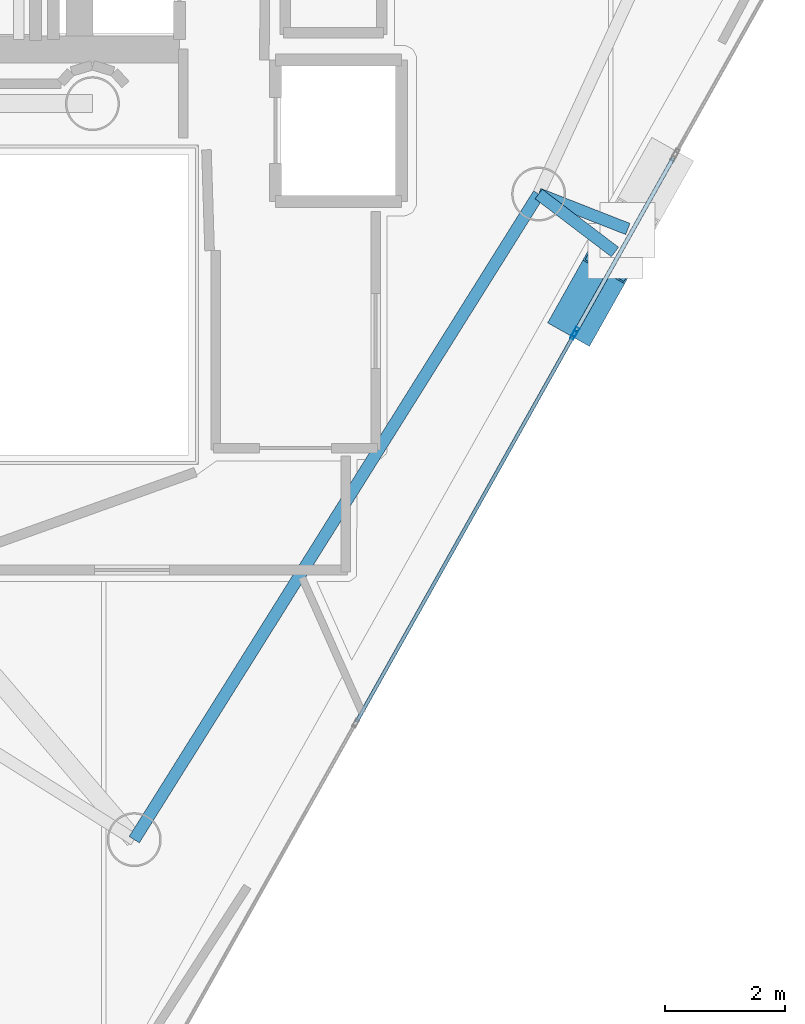
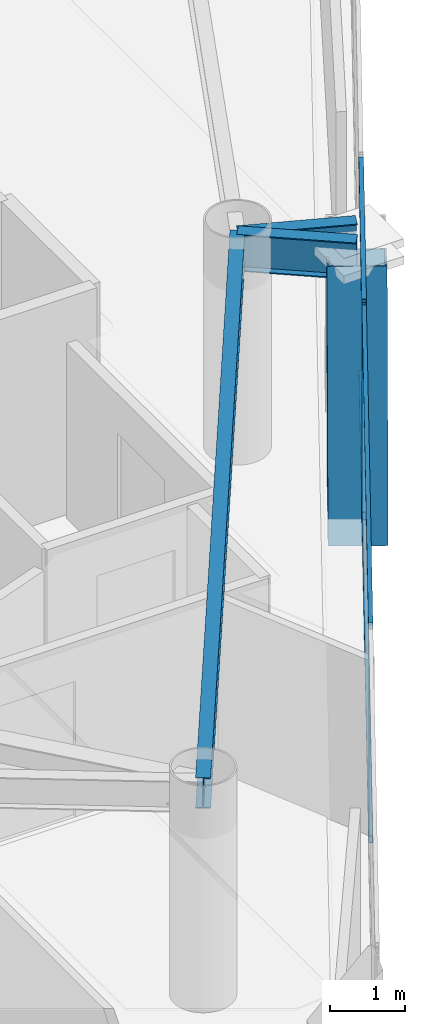
# One storey, part 5 of 21: 7 members, 3 beams, 2 elements without a shape of their own.
"""IFC4 building model written with IfcOpenShell, lengths in metres."""

import ifcopenshell
import ifcopenshell.guid

model = None  # the IFC model being written
_history = None  # IfcOwnerHistory: only IFC2X3 demands one
_inside = {}  # id of a spatial element -> (the spatial element, [elements in it])
_under = {}  # id of a project, library or spatial element -> (it, [spatial elements below it])
_declared = {}  # id of a project -> (the project, [libraries it declares])
_typed = {}  # id of a type object -> (the type object, [elements of that type])
_made_of = {}  # id of a material, layer set ... -> (it, [elements and type objects made of it])


def new_model(schema):
    """Start an empty IFC model of exactly this schema.

    Asked for "IFC4X3", IfcOpenShell would pick the latest addendum, in which some entities
    have other attributes; the version numbers below select the first issue.
    IFC2X3 requires an IfcOwnerHistory on every rooted entity: one is made here for all.
    """
    global model, _history
    if schema == "IFC4X3":
        model = ifcopenshell.file(schema_version=(4, 3, 0, 0))
    else:
        model = ifcopenshell.file(schema=schema)
    _inside.clear()
    _under.clear()
    _declared.clear()
    _typed.clear()
    _made_of.clear()
    _history = None
    if model.schema == "IFC2X3":
        org = make("IfcOrganization", Name="unknown")
        user = make(
            "IfcPersonAndOrganization",
            ThePerson=make("IfcPerson", FamilyName="unknown"),
            TheOrganization=org,
        )
        app = make(
            "IfcApplication",
            ApplicationDeveloper=org,
            Version="unknown",
            ApplicationFullName="unknown",
            ApplicationIdentifier="unknown",
        )
        _history = make(
            "IfcOwnerHistory",
            OwningUser=user,
            OwningApplication=app,
            ChangeAction="ADDED",
            CreationDate=0,
        )
    return model


def make(cls, **values):
    """One entity of the class cls with the attributes given. An attribute that is None is left unset."""
    return model.create_entity(
        cls, **{name: value for name, value in values.items() if value is not None}
    )


def rooted(cls, **values):
    """An entity with a GlobalId (a new one), such as an element, a storey or a relation."""
    return make(cls, GlobalId=ifcopenshell.guid.new(), OwnerHistory=_history, **values)


def si_unit(unit_type, name, prefix=None):
    """IfcSIUnit, for example si_unit("LENGTHUNIT", "METRE", prefix="MILLI")."""
    return make("IfcSIUnit", UnitType=unit_type, Prefix=prefix, Name=name)


def assignment(units):
    """IfcUnitAssignment: the units of a project."""
    return None if units is None else make("IfcUnitAssignment", Units=units)


def point(xyz):
    """IfcCartesianPoint."""
    return None if xyz is None else make("IfcCartesianPoint", Coordinates=xyz)


def direction(xyz):
    """IfcDirection."""
    return None if xyz is None else make("IfcDirection", DirectionRatios=xyz)


def frame(location, z_axis=None, x_axis=None):
    """IfcAxis2Placement3D, a coordinate frame: its origin and axes. An axis left out is left unset."""
    return make(
        "IfcAxis2Placement3D",
        Location=point(location),
        Axis=direction(z_axis),
        RefDirection=direction(x_axis),
    )


def frame_2d(location, x_axis=None):
    """IfcAxis2Placement2D, a coordinate frame in the plane: its origin and x axis."""
    return make(
        "IfcAxis2Placement2D", Location=point(location), RefDirection=direction(x_axis)
    )


def origin():
    """The frame at (0, 0, 0) with its axes left unset."""
    return frame((0.0, 0.0, 0.0))


def origin_2d():
    """The frame at (0, 0) in the plane with its x axis left unset."""
    return frame_2d((0.0, 0.0))


def place(relative_to, where):
    """IfcLocalPlacement: puts the frame where relative to a parent placement (None: the world)."""
    return make(
        "IfcLocalPlacement", PlacementRelTo=relative_to, RelativePlacement=where
    )


def context(
    kind, dimensions, precision=None, world=None, true_north=None, identifier=None
):
    """IfcGeometricRepresentationContext, for example the 3D "Model" context."""
    return make(
        "IfcGeometricRepresentationContext",
        ContextIdentifier=identifier,
        ContextType=kind,
        CoordinateSpaceDimension=dimensions,
        Precision=precision,
        WorldCoordinateSystem=world,
        TrueNorth=true_north,
    )


def subcontext(parent, identifier, kind, view, scale=None):
    """IfcGeometricRepresentationSubContext, for example "Body" below "Model"."""
    return make(
        "IfcGeometricRepresentationSubContext",
        ContextIdentifier=identifier,
        ContextType=kind,
        ParentContext=parent,
        TargetScale=scale,
        TargetView=view,
    )


def project(units=None, contexts=None):
    """IfcProject with its units and contexts."""
    return rooted(
        "IfcProject",
        Name="project",
        RepresentationContexts=contexts,
        UnitsInContext=assignment(units),
    )


def spatial(cls, under=None, at=None, **own):
    """A site, building, storey or space (cls), placed at a placement, below another one or the project."""
    s = rooted(cls, ObjectPlacement=at, **own)
    if under is not None:
        _under.setdefault(under.id(), (under, []))[1].append(s)
    return s


def profile(cls, at=None, kind="AREA", **sizes):
    """A parametric profile (cls). Its sizes go by their IFC names, for example OverallWidth=200.0."""
    return make(cls, ProfileType=kind, Position=at, **sizes)


def hollow_rectangle(**sizes):
    """IfcRectangleHollowProfileDef."""
    return profile("IfcRectangleHollowProfileDef", **sizes)


def i_section(**sizes):
    """IfcIShapeProfileDef."""
    return profile("IfcIShapeProfileDef", **sizes)


def extrude(swept, where, along, depth):
    """IfcExtrudedAreaSolid: the profile swept, set in the frame where, extruded along a direction by depth."""
    return make(
        "IfcExtrudedAreaSolid",
        SweptArea=swept,
        Position=where,
        ExtrudedDirection=direction(along),
        Depth=depth,
    )


def shape(context_of_items, identifier, shape_type, items):
    """IfcShapeRepresentation: the items that make up one representation, for example the "Body"."""
    return make(
        "IfcShapeRepresentation",
        ContextOfItems=context_of_items,
        RepresentationIdentifier=identifier,
        RepresentationType=shape_type,
        Items=items,
    )


def material(Name=None, Category=None):
    """IfcMaterial."""
    return make("IfcMaterial", Name=Name, Category=Category)


def layer(
    of_material, thickness, ventilated=None, Name=None, Category=None, Priority=None
):
    """IfcMaterialLayer: one layer of a wall or slab, of a material (None: an air gap)."""
    return make(
        "IfcMaterialLayer",
        Material=of_material,
        LayerThickness=thickness,
        IsVentilated=ventilated,
        Name=Name,
        Category=Category,
        Priority=Priority,
    )


def layer_set(layers, Name=None):
    """IfcMaterialLayerSet."""
    return make("IfcMaterialLayerSet", MaterialLayers=layers, LayerSetName=Name)


def material_profile(
    of_material, cross_section, Name=None, Category=None, Priority=None
):
    """IfcMaterialProfile: a cross section and its material."""
    return make(
        "IfcMaterialProfile",
        Name=Name,
        Material=of_material,
        Profile=cross_section,
        Priority=Priority,
        Category=Category,
    )


def profile_set(profiles, Name=None, composite=None):
    """IfcMaterialProfileSet."""
    return make(
        "IfcMaterialProfileSet",
        Name=Name,
        MaterialProfiles=profiles,
        CompositeProfile=composite,
    )


def made_of(thing, what):
    """Note that an element or type object is made of a material, layer set ...; save() writes the relation."""
    if what is not None:
        _made_of.setdefault(what.id(), (what, []))[1].append(thing)
    return thing


def type_object(cls, material=None, **own):
    """A type object (cls), such as IfcWallType, which elements share."""
    return made_of(rooted(cls, **own), material)


def element(
    cls,
    number,
    at=None,
    inside=None,
    cuts=None,
    type_object=None,
    material=None,
    context=None,
    identifier="Body",
    shape_type=None,
    held_by="IfcProductDefinitionShape",
    body=None,
    shapes=None,
    **own,
):
    """One element of the class cls, such as IfcWall. Its Tag is "e" and its number.

    at: its placement. inside: the storey or other place that contains it. cuts: it is an
    opening in that element (IfcRelVoidsElement). A single representation is given by context,
    identifier, shape_type and body (its items); several are given by shapes. held_by: the class
    of the entity that holds the representations. save() writes the other relations.
    """
    e = rooted(cls, Tag="e%d" % number, ObjectPlacement=at, **own)
    if body is not None:
        shapes = [shape(context, identifier, shape_type, body)]
    if shapes is not None:
        e.Representation = make(held_by, Representations=shapes)
    if inside is not None:
        _inside.setdefault(inside.id(), (inside, []))[1].append(e)
    if cuts is not None:
        rooted(
            "IfcRelVoidsElement", RelatingBuildingElement=cuts, RelatedOpeningElement=e
        )
    if type_object is not None:
        _typed.setdefault(type_object.id(), (type_object, []))[1].append(e)
    return made_of(e, material)


def aggregate(whole, parts):
    """IfcRelAggregates: a whole, such as a stair, and the parts it consists of."""
    return rooted("IfcRelAggregates", RelatingObject=whole, RelatedObjects=parts)


def save(model, path):
    """Write the relations noted so far, then the file.

    IfcRelAggregates (storeys below a building ...), IfcRelContainedInSpatialStructure (elements
    in a storey), IfcRelDefinesByType, IfcRelAssociatesMaterial and IfcRelDeclares: one each for
    every whole, place, type object, material and project.
    """
    for whole, parts in _under.values():
        aggregate(whole, parts)
    for where, things in _inside.values():
        rooted(
            "IfcRelContainedInSpatialStructure",
            RelatedElements=things,
            RelatingStructure=where,
        )
    for kind, things in _typed.values():
        rooted("IfcRelDefinesByType", RelatedObjects=things, RelatingType=kind)
    for what, things in _made_of.values():
        rooted("IfcRelAssociatesMaterial", RelatedObjects=things, RelatingMaterial=what)
    for by, libraries in _declared.values():
        rooted("IfcRelDeclares", RelatingContext=by, RelatedDefinitions=libraries)
    model.write(path)


model = new_model("IFC4")

# Units and contexts
model_context = context("Model", 3, precision=1e-05, world=origin(), true_north=direction((0.0, 1.0)))
body_context = subcontext(model_context, "Body", "Model", "MODEL_VIEW")
ifc_project = project(units=[si_unit("LENGTHUNIT", "METRE"), si_unit("AREAUNIT", "SQUARE_METRE"), si_unit("VOLUMEUNIT", "CUBIC_METRE"), si_unit("PLANEANGLEUNIT", "RADIAN"), si_unit("MASSUNIT", "GRAM", prefix="KILO")], contexts=[model_context])

# Site, building, storey
site_placement = place(None, origin())
site = spatial("IfcSite", under=ifc_project, at=site_placement, CompositionType="ELEMENT")
building_placement = place(site_placement, origin())
building = spatial("IfcBuilding", under=site, at=building_placement, Name="Qianvela Tower", CompositionType="ELEMENT")
storey_placement = place(building_placement, frame((0.0, 0.0, 302.800048828125)))
storey = spatial("IfcBuildingStorey", under=building, at=storey_placement, Name="L78", CompositionType="ELEMENT", Elevation=302.800048828125)

# Beams
ifc_material_1 = material(Name="Steel Q355B", Category="steel")
ifc_material_profile_1 = material_profile(ifc_material_1, i_section(OverallWidth=0.199951171875, OverallDepth=0.5, WebThickness=0.010009765625, FlangeThickness=0.01611328125, at=origin_2d()), Name="HN500x200x10x16")
ifc_profile_set_1 = profile_set([ifc_material_profile_1], Name="Steel Q355B")
beam_type_1 = type_object("IfcBeamType", Name="BM-HN500-GIRD", PredefinedType="BEAM", material=ifc_profile_set_1)
beam_1_placement = place(storey_placement, frame((39.095947265625, 11.587890625, 3.26806640625), z_axis=(0.530840654868, 0.847471650935, 0.0), x_axis=(-0.847471650935, 0.530840654868, 0.0)))
element("IfcBeam", 1, at=beam_1_placement, inside=storey, type_object=beam_type_1, Name="L78 Perimeter Ring Spandrel Girder 5", PredefinedType="BEAM", context=body_context, shape_type="SweptSolid", body=[
    extrude(i_section(OverallWidth=0.199951171875, OverallDepth=0.5, WebThickness=0.010009765625, FlangeThickness=0.01611328125, at=origin_2d()), origin(), (0.0, 0.0, 1.0), 12.693115234375),
])
ifc_material_2 = material(Name="Steel Q355B", Category="steel")
ifc_material_profile_2 = material_profile(ifc_material_2, i_section(OverallWidth=0.199951171875, OverallDepth=0.60009765625, WebThickness=0.010986328125, FlangeThickness=0.01708984375, at=origin_2d()), Name="HN600x200x11x17")
ifc_profile_set_2 = profile_set([ifc_material_profile_2], Name="Steel Q355B")
beam_type_2 = type_object("IfcBeamType", Name="BM-HN600-GIRD", PredefinedType="BEAM", material=ifc_profile_set_2)
beam_2_placement = place(storey_placement, frame((45.833984375, 22.344970703125, 3.218017578125), z_axis=(0.796056105506, -0.605222832423, 0.0), x_axis=(0.605222832423, 0.796056105506, 0.0)))
element("IfcBeam", 2, at=beam_2_placement, inside=storey, type_object=beam_type_2, Name="L78 Mega-Brace Column Tie Bracket F3-1", PredefinedType="BEAM", context=body_context, shape_type="SweptSolid", body=[
    extrude(i_section(OverallWidth=0.199951171875, OverallDepth=0.60009765625, WebThickness=0.010986328125, FlangeThickness=0.01708984375, at=origin_2d()), origin(), (0.0, 0.0, 1.0), 1.5966796875),
])
beam_3_placement = place(storey_placement, frame((45.833984375, 22.344970703125, 3.218017578125), z_axis=(0.930996636984, -0.365027755007, 0.0), x_axis=(0.365027755007, 0.930996636984, 0.0)))
element("IfcBeam", 3, at=beam_3_placement, inside=storey, type_object=beam_type_2, Name="L78 Mega-Brace Column Tie Bracket F3-2", PredefinedType="BEAM", context=body_context, shape_type="SweptSolid", body=[
    extrude(i_section(OverallWidth=0.199951171875, OverallDepth=0.60009765625, WebThickness=0.010986328125, FlangeThickness=0.01708984375, at=origin_2d()), origin(), (0.0, 0.0, 1.0), 1.596435546875),
])

# Curtain wall, members
ifc_material_3 = material(Name="Anodised Architectural Aluminium and Insulated Spandrel Panel", Category="aluminium")
ifc_layer_1 = layer(ifc_material_3, 0.179931640625)
ifc_layer_set_1 = layer_set([ifc_layer_1], Name="Anodised Architectural Aluminium and Insulated Spandrel Panel")
curtain_wall_type_1 = type_object("IfcCurtainWallType", Name="CW-BRACEBAY", PredefinedType="USERDEFINED", material=ifc_layer_set_1)
curtain_wall_1_placement = place(storey_placement, origin())
curtain_wall_1 = element("IfcCurtainWall", 4, at=curtain_wall_1_placement, inside=storey, type_object=curtain_wall_type_1, Name="L78 CW-BRACEBAY Curtain Wall 06B", ObjectType="CURTAIN_WALL_SYSTEM", PredefinedType="USERDEFINED")
ifc_material_4 = material(Name="Anodised Architectural Aluminium 6063-T6", Category="aluminium")
ifc_material_profile_3 = material_profile(ifc_material_4, hollow_rectangle(XDim=0.06494140625, YDim=0.159912109375, WallThickness=0.0048828125, at=origin_2d()), Name="ALU-MULL-65x160")
ifc_profile_set_3 = profile_set([ifc_material_profile_3], Name="Anodised Architectural Aluminium 6063-T6")
member_type_1 = type_object("IfcMemberType", Name="CW-BRACEBAY-MULL", PredefinedType="MULLION", material=ifc_profile_set_3)
member_1_placement = place(storey_placement, frame((46.4482421875, 20.046630859375, 0.0), z_axis=(0.0, 0.0, 1.0), x_axis=(-0.871831553607, 0.489805820847, 0.0)))
member_1 = element("IfcMember", 5, at=member_1_placement, type_object=member_type_1, Name="CW-9 mullion 1", PredefinedType="MULLION", context=body_context, shape_type="SweptSolid", body=[
    extrude(hollow_rectangle(XDim=0.06494140625, YDim=0.159912109375, WallThickness=0.0048828125, at=origin_2d()), origin(), (0.0, 0.0, 1.0), 3.52001953125),
])
ifc_material_5 = material(Name="Anodised Architectural Aluminium 6063-T6", Category="aluminium")
ifc_material_profile_4 = material_profile(ifc_material_5, hollow_rectangle(XDim=0.06494140625, YDim=0.1298828125, WallThickness=0.00439453125, at=origin_2d()), Name="ALU-TRAN-65x130")
ifc_profile_set_4 = profile_set([ifc_material_profile_4], Name="Anodised Architectural Aluminium 6063-T6")
member_type_2 = type_object("IfcMemberType", Name="CW-BRACEBAY-TRAN", PredefinedType="USERDEFINED", material=ifc_profile_set_4)
member_2_placement = place(storey_placement, frame((46.46435546875, 20.074951171875, 0.032470703125), z_axis=(0.48976439331, 0.871854826818, 0.0), x_axis=(-0.871854826818, 0.48976439331, 0.0)))
member_2 = element("IfcMember", 6, at=member_2_placement, type_object=member_type_2, Name="CW-9 transom 1.1", ObjectType="TRANSOM", PredefinedType="USERDEFINED", context=body_context, shape_type="SweptSolid", body=[
    extrude(hollow_rectangle(XDim=0.06494140625, YDim=0.1298828125, WallThickness=0.00439453125, at=origin_2d()), origin(), (0.0, 0.0, 1.0), 3.2900390625),
])
member_3_placement = place(storey_placement, frame((46.46435546875, 20.074951171875, 3.487548828125), z_axis=(0.48976439331, 0.871854826818, 0.0), x_axis=(-0.871854826818, 0.48976439331, 0.0)))
member_3 = element("IfcMember", 7, at=member_3_placement, type_object=member_type_2, Name="CW-9 transom 1.2", ObjectType="TRANSOM", PredefinedType="USERDEFINED", context=body_context, shape_type="SweptSolid", body=[
    extrude(hollow_rectangle(XDim=0.06494140625, YDim=0.1298828125, WallThickness=0.00439453125, at=origin_2d()), origin(), (0.0, 0.0, 1.0), 3.2900390625),
])
aggregate(curtain_wall_1, [member_1, member_2, member_3])

ifc_material_6 = material(Name="Anodised Architectural Aluminium and Low-E Glass", Category="aluminium")
ifc_layer_2 = layer(ifc_material_6, 0.14990234375)
ifc_layer_set_2 = layer_set([ifc_layer_2], Name="Anodised Architectural Aluminium and Low-E Glass")
curtain_wall_type_2 = type_object("IfcCurtainWallType", Name="CW-COLIV-Z78", PredefinedType="USERDEFINED", material=ifc_layer_set_2)
curtain_wall_2_placement = place(storey_placement, origin())
curtain_wall_2 = element("IfcCurtainWall", 8, at=curtain_wall_2_placement, inside=storey, type_object=curtain_wall_type_2, Name="L78 CW-COLIV-Z78 Curtain Wall 06A", ObjectType="CURTAIN_WALL_SYSTEM", PredefinedType="USERDEFINED")
ifc_material_7 = material(Name="Anodised Architectural Aluminium 6063-T6", Category="aluminium")
ifc_material_profile_5 = material_profile(ifc_material_7, hollow_rectangle(XDim=0.06005859375, YDim=0.139892578125, WallThickness=0.00439453125, at=origin_2d()), Name="ALU-MULL-60x140")
ifc_profile_set_5 = profile_set([ifc_material_profile_5], Name="Anodised Architectural Aluminium 6063-T6")
member_type_3 = type_object("IfcMemberType", Name="CW-COLIV-Z78-MULL", PredefinedType="MULLION", material=ifc_profile_set_5)
member_4_placement = place(storey_placement, frame((46.417724609375, 19.9921875, 0.0), z_axis=(0.0, 0.0, 1.0), x_axis=(-0.871839603011, 0.489791493007, 0.0)))
member_4 = element("IfcMember", 9, at=member_4_placement, type_object=member_type_3, Name="CW-6 mullion 3", PredefinedType="MULLION", context=body_context, shape_type="SweptSolid", body=[
    extrude(hollow_rectangle(XDim=0.06005859375, YDim=0.139892578125, WallThickness=0.00439453125, at=origin_2d()), origin(), (0.0, 0.0, 1.0), 3.52001953125),
])
ifc_material_8 = material(Name="Anodised Architectural Aluminium 6063-T6", Category="aluminium")
ifc_material_profile_6 = material_profile(ifc_material_8, hollow_rectangle(XDim=0.06005859375, YDim=0.114990234375, WallThickness=0.00390625, at=origin_2d()), Name="ALU-TRAN-60x115")
ifc_profile_set_6 = profile_set([ifc_material_profile_6], Name="Anodised Architectural Aluminium 6063-T6")
member_type_4 = type_object("IfcMemberType", Name="CW-COLIV-Z78-TRAN", PredefinedType="USERDEFINED", material=ifc_profile_set_6)
member_5_placement = place(storey_placement, frame((42.800537109375, 13.5537109375, 0.030029296875), z_axis=(0.489805720152, 0.871831610178, 0.0), x_axis=(-0.871831610178, 0.489805720152, 0.0)))
member_5 = element("IfcMember", 10, at=member_5_placement, type_object=member_type_4, Name="CW-6 transom 2.1", ObjectType="TRANSOM", PredefinedType="USERDEFINED", context=body_context, shape_type="SweptSolid", body=[
    extrude(hollow_rectangle(XDim=0.06005859375, YDim=0.114990234375, WallThickness=0.00390625, at=origin_2d()), origin(), (0.0, 0.0, 1.0), 7.35498046875),
])
member_6_placement = place(storey_placement, frame((42.800537109375, 13.5537109375, 3.489990234375), z_axis=(0.489805720152, 0.871831610178, 0.0), x_axis=(-0.871831610178, 0.489805720152, 0.0)))
member_6 = element("IfcMember", 11, at=member_6_placement, type_object=member_type_4, Name="CW-6 transom 2.2", ObjectType="TRANSOM", PredefinedType="USERDEFINED", context=body_context, shape_type="SweptSolid", body=[
    extrude(hollow_rectangle(XDim=0.06005859375, YDim=0.114990234375, WallThickness=0.00390625, at=origin_2d()), origin(), (0.0, 0.0, 1.0), 7.35498046875),
])
aggregate(curtain_wall_2, [member_4, member_5, member_6])

# Member
ifc_material_9 = material(Name="Steel Q420GJC", Category="steel")
ifc_material_profile_7 = material_profile(ifc_material_9, hollow_rectangle(XDim=0.800048828125, YDim=0.800048828125, WallThickness=0.028076171875, at=origin_2d()), Name="MBOX-800x800x28")
ifc_profile_set_7 = profile_set([ifc_material_profile_7], Name="Steel Q420GJC")
member_type_5 = type_object("IfcMemberType", Name="MBR-MBRACE-800", PredefinedType="BRACE", material=ifc_profile_set_7)
member_7_placement = place(storey_placement, frame((46.51806640625, 20.333984375, -0.48193359375), z_axis=(0.150910772838, 0.268613642668, 0.951353062545), x_axis=(-0.871831159664, 0.489806522046, 0.0)))
element("IfcMember", 12, at=member_7_placement, inside=storey, type_object=member_type_5, Name="L78 Tier 13 Exterior Mega-Brace F3A", PredefinedType="BRACE", context=body_context, shape_type="SweptSolid", body=[
    extrude(hollow_rectangle(XDim=0.800048828125, YDim=0.800048828125, WallThickness=0.028076171875, at=origin_2d()), origin(), (0.0, 0.0, 1.0), 3.88916015625),
])

save(model, "model.ifc")
